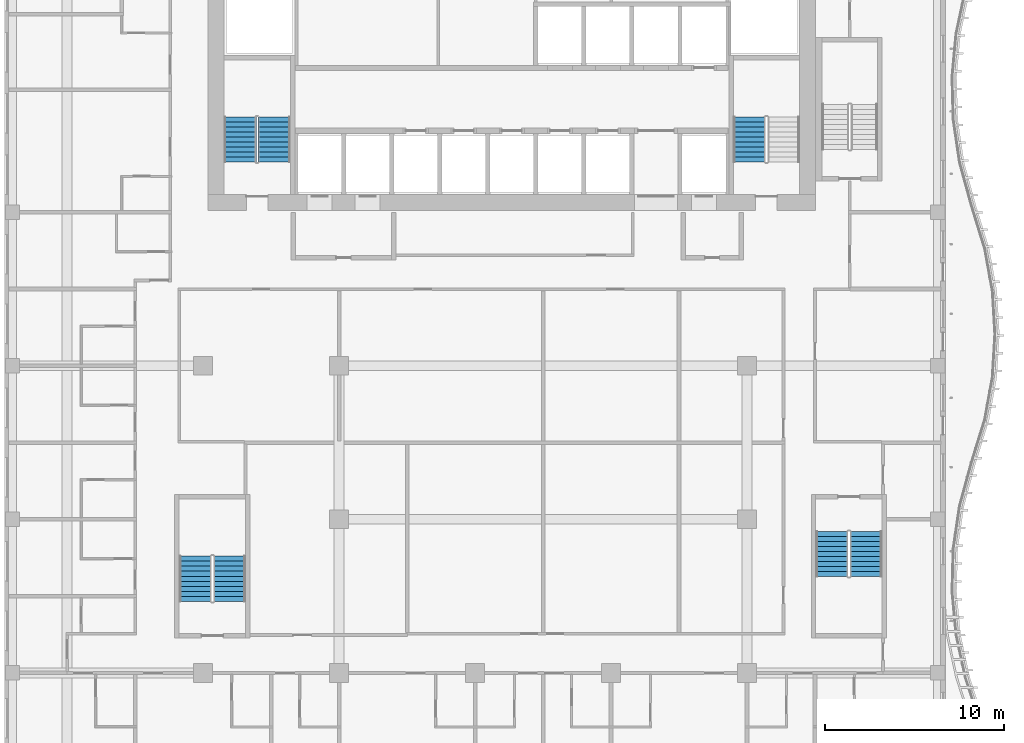
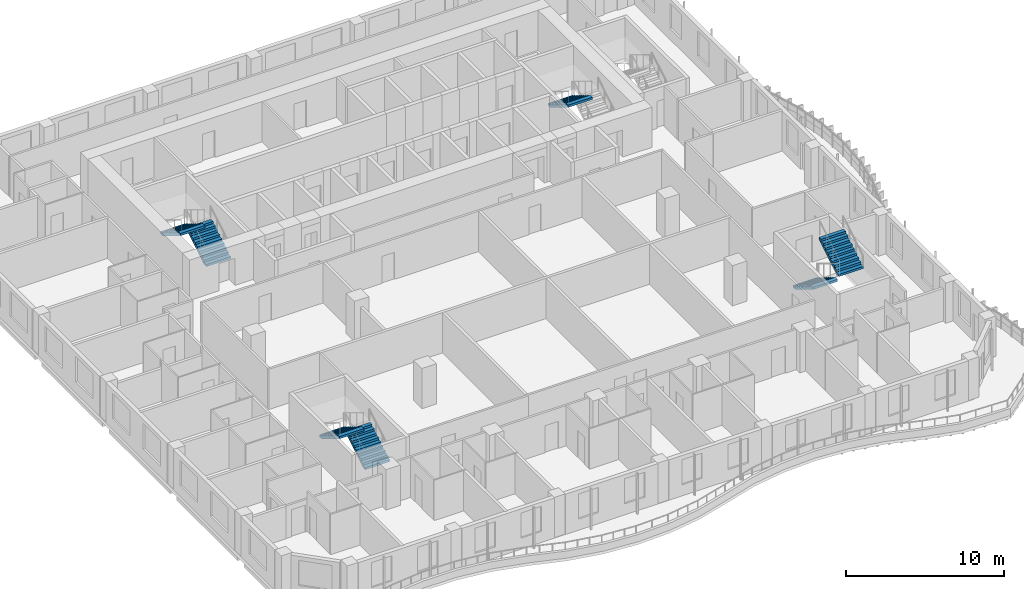
# One storey, part 12 of 23: 7 stair flights, 4 elements without a shape of their own.
"""IFC4 building model written with IfcOpenShell, lengths in metres."""

from ifc_helpers import new_model, si_unit, direction, frame, origin, place, context, subcontext, project, spatial, triangles, source, transform, mapped, material, type_object, element, aggregate, save


model = new_model("IFC4")

# Units and contexts
model_context = context("Model", 3, precision=1e-05, world=origin(), true_north=direction((0.0, 1.0)))
body_context = subcontext(model_context, "Body", "Model", "MODEL_VIEW")
ifc_project = project(units=[si_unit("LENGTHUNIT", "METRE"), si_unit("AREAUNIT", "SQUARE_METRE"), si_unit("VOLUMEUNIT", "CUBIC_METRE"), si_unit("PLANEANGLEUNIT", "RADIAN"), si_unit("MASSUNIT", "GRAM", prefix="KILO")], contexts=[model_context])

# Site, building, storey
site_placement = place(None, origin())
site = spatial("IfcSite", under=ifc_project, at=site_placement, CompositionType="ELEMENT")
building_placement = place(site_placement, origin())
building = spatial("IfcBuilding", under=site, at=building_placement, Name="Kilnfold Tower and Market Hall", CompositionType="ELEMENT")
storey_placement = place(building_placement, frame((0.0, 0.0, 178.699951171875)))
storey = spatial("IfcBuildingStorey", under=building, at=storey_placement, Name="L42", CompositionType="ELEMENT", Elevation=178.699951171875)

# Stair, stair flights
ifc_material_1 = material(Name="Concrete C40/50", Category="concrete")
stair_type = type_object("IfcStairType", Name="CORE STAIR 1800", PredefinedType="HALF_TURN_STAIR", material=ifc_material_1)
stair_1_placement = place(storey_placement, origin())
stair_1 = element("IfcStair", 1, at=stair_1_placement, inside=storey, type_object=stair_type, Name="L42 ST1", PredefinedType="HALF_TURN_STAIR")
ifc_material_2 = material(Name="Concrete C40/50", Category="concrete")
stair_flight_type = type_object("IfcStairFlightType", Name="CORE STAIR FLIGHT 1800", PredefinedType="STRAIGHT", material=ifc_material_2)
shared_shape = source(origin(), body_context, "Body", "Tessellation", [
    triangles([(0.0, 0.89990234375, 0.0), (0.0, 0.78759765625, 0.0), (0.0, 0.675048828125, 0.0), (0.0, 0.5625, 0.0), (0.0, 0.449951171875, 0.0), (0.0, 0.33740234375, 0.0), (0.0, 0.22509765625, 0.0), (0.0, 0.112548828125, 0.0), (0.0, 0.0, 0.0), (0.0, -0.112548828125, 0.0), (0.0, -0.22509765625, 0.0), (0.0, -0.33740234375, 0.0), (0.0, -0.449951171875, 0.0), (0.0, -0.5625, 0.0), (0.0, -0.675048828125, 0.0), (0.0, -0.78759765625, 0.0), (0.0, -0.89990234375, 0.0), (0.0, 0.89990234375, 0.169921875), (0.0, 0.78759765625, 0.169921875), (0.0, 0.675048828125, 0.169921875), (0.0, 0.5625, 0.169921875), (0.0, 0.449951171875, 0.169921875), (0.0, 0.33740234375, 0.169921875), (0.0, 0.22509765625, 0.169921875), (0.0, 0.112548828125, 0.169921875), (0.0, 0.0, 0.169921875), (0.0, -0.112548828125, 0.169921875), (0.0, -0.22509765625, 0.169921875), (0.0, -0.33740234375, 0.169921875), (0.0, -0.449951171875, 0.169921875), (0.0, -0.5625, 0.169921875), (0.0, -0.675048828125, 0.169921875), (0.0, -0.78759765625, 0.169921875), (0.0, -0.89990234375, 0.169921875), (0.280029296875, 0.89990234375, 0.169921875), (0.280029296875, 0.78759765625, 0.169921875), (0.280029296875, 0.675048828125, 0.169921875), (0.280029296875, 0.5625, 0.169921875), (0.280029296875, 0.449951171875, 0.169921875), (0.280029296875, 0.33740234375, 0.169921875), (0.280029296875, 0.22509765625, 0.169921875), (0.280029296875, 0.112548828125, 0.169921875), (0.280029296875, 0.0, 0.169921875), (0.280029296875, -0.112548828125, 0.169921875), (0.280029296875, -0.22509765625, 0.169921875), (0.280029296875, -0.33740234375, 0.169921875), (0.280029296875, -0.449951171875, 0.169921875), (0.280029296875, -0.5625, 0.169921875), (0.280029296875, -0.675048828125, 0.169921875), (0.280029296875, -0.78759765625, 0.169921875), (0.280029296875, -0.89990234375, 0.169921875), (0.280029296875, 0.89990234375, 0.340087890625), (0.280029296875, 0.78759765625, 0.340087890625), (0.280029296875, 0.675048828125, 0.340087890625), (0.280029296875, 0.5625, 0.340087890625), (0.280029296875, 0.449951171875, 0.340087890625), (0.280029296875, 0.33740234375, 0.340087890625), (0.280029296875, 0.22509765625, 0.340087890625), (0.280029296875, 0.112548828125, 0.340087890625), (0.280029296875, 0.0, 0.340087890625), (0.280029296875, -0.112548828125, 0.340087890625), (0.280029296875, -0.22509765625, 0.340087890625), (0.280029296875, -0.33740234375, 0.340087890625), (0.280029296875, -0.449951171875, 0.340087890625), (0.280029296875, -0.5625, 0.340087890625), (0.280029296875, -0.675048828125, 0.340087890625), (0.280029296875, -0.78759765625, 0.340087890625), (0.280029296875, -0.89990234375, 0.340087890625), (0.56005859375, 0.89990234375, 0.340087890625), (0.56005859375, 0.78759765625, 0.340087890625), (0.56005859375, 0.675048828125, 0.340087890625), (0.56005859375, 0.5625, 0.340087890625), (0.56005859375, 0.449951171875, 0.340087890625), (0.56005859375, 0.33740234375, 0.340087890625), (0.56005859375, 0.22509765625, 0.340087890625), (0.56005859375, 0.112548828125, 0.340087890625), (0.56005859375, 0.0, 0.340087890625), (0.56005859375, -0.112548828125, 0.340087890625), (0.56005859375, -0.22509765625, 0.340087890625), (0.56005859375, -0.33740234375, 0.340087890625), (0.56005859375, -0.449951171875, 0.340087890625), (0.56005859375, -0.5625, 0.340087890625), (0.56005859375, -0.675048828125, 0.340087890625), (0.56005859375, -0.78759765625, 0.340087890625), (0.56005859375, -0.89990234375, 0.340087890625), (0.56005859375, 0.89990234375, 0.510009765625), (0.56005859375, 0.78759765625, 0.510009765625), (0.56005859375, 0.675048828125, 0.510009765625), (0.56005859375, 0.5625, 0.510009765625), (0.56005859375, 0.449951171875, 0.510009765625), (0.56005859375, 0.33740234375, 0.510009765625), (0.56005859375, 0.22509765625, 0.510009765625), (0.56005859375, 0.112548828125, 0.510009765625), (0.56005859375, 0.0, 0.510009765625), (0.56005859375, -0.112548828125, 0.510009765625), (0.56005859375, -0.22509765625, 0.510009765625), (0.56005859375, -0.33740234375, 0.510009765625), (0.56005859375, -0.449951171875, 0.510009765625), (0.56005859375, -0.5625, 0.510009765625), (0.56005859375, -0.675048828125, 0.510009765625), (0.56005859375, -0.78759765625, 0.510009765625), (0.56005859375, -0.89990234375, 0.510009765625), (0.840087890625, 0.89990234375, 0.510009765625), (0.840087890625, 0.78759765625, 0.510009765625), (0.840087890625, 0.675048828125, 0.510009765625), (0.840087890625, 0.5625, 0.510009765625), (0.840087890625, 0.449951171875, 0.510009765625), (0.840087890625, 0.33740234375, 0.510009765625), (0.840087890625, 0.22509765625, 0.510009765625), (0.840087890625, 0.112548828125, 0.510009765625), (0.840087890625, 0.0, 0.510009765625), (0.840087890625, -0.112548828125, 0.510009765625), (0.840087890625, -0.22509765625, 0.510009765625), (0.840087890625, -0.33740234375, 0.510009765625), (0.840087890625, -0.449951171875, 0.510009765625), (0.840087890625, -0.5625, 0.510009765625), (0.840087890625, -0.675048828125, 0.510009765625), (0.840087890625, -0.78759765625, 0.510009765625), (0.840087890625, -0.89990234375, 0.510009765625), (0.840087890625, 0.89990234375, 0.679931640625), (0.840087890625, 0.78759765625, 0.679931640625), (0.840087890625, 0.675048828125, 0.679931640625), (0.840087890625, 0.5625, 0.679931640625), (0.840087890625, 0.449951171875, 0.679931640625), (0.840087890625, 0.33740234375, 0.679931640625), (0.840087890625, 0.22509765625, 0.679931640625), (0.840087890625, 0.112548828125, 0.679931640625), (0.840087890625, 0.0, 0.679931640625), (0.840087890625, -0.112548828125, 0.679931640625), (0.840087890625, -0.22509765625, 0.679931640625), (0.840087890625, -0.33740234375, 0.679931640625), (0.840087890625, -0.449951171875, 0.679931640625), (0.840087890625, -0.5625, 0.679931640625), (0.840087890625, -0.675048828125, 0.679931640625), (0.840087890625, -0.78759765625, 0.679931640625), (0.840087890625, -0.89990234375, 0.679931640625), (1.1201171875, 0.89990234375, 0.679931640625), (1.1201171875, 0.78759765625, 0.679931640625), (1.1201171875, 0.675048828125, 0.679931640625), (1.1201171875, 0.5625, 0.679931640625), (1.1201171875, 0.449951171875, 0.679931640625), (1.1201171875, 0.33740234375, 0.679931640625), (1.1201171875, 0.22509765625, 0.679931640625), (1.1201171875, 0.112548828125, 0.679931640625), (1.1201171875, 0.0, 0.679931640625), (1.1201171875, -0.112548828125, 0.679931640625), (1.1201171875, -0.22509765625, 0.679931640625), (1.1201171875, -0.33740234375, 0.679931640625), (1.1201171875, -0.449951171875, 0.679931640625), (1.1201171875, -0.5625, 0.679931640625), (1.1201171875, -0.675048828125, 0.679931640625), (1.1201171875, -0.78759765625, 0.679931640625), (1.1201171875, -0.89990234375, 0.679931640625), (1.1201171875, 0.89990234375, 0.85009765625), (1.1201171875, 0.78759765625, 0.85009765625), (1.1201171875, 0.675048828125, 0.85009765625), (1.1201171875, 0.5625, 0.85009765625), (1.1201171875, 0.449951171875, 0.85009765625), (1.1201171875, 0.33740234375, 0.85009765625), (1.1201171875, 0.22509765625, 0.85009765625), (1.1201171875, 0.112548828125, 0.85009765625), (1.1201171875, 0.0, 0.85009765625), (1.1201171875, -0.112548828125, 0.85009765625), (1.1201171875, -0.22509765625, 0.85009765625), (1.1201171875, -0.33740234375, 0.85009765625), (1.1201171875, -0.449951171875, 0.85009765625), (1.1201171875, -0.5625, 0.85009765625), (1.1201171875, -0.675048828125, 0.85009765625), (1.1201171875, -0.78759765625, 0.85009765625), (1.1201171875, -0.89990234375, 0.85009765625), (1.39990234375, 0.89990234375, 0.85009765625), (1.39990234375, 0.78759765625, 0.85009765625), (1.39990234375, 0.675048828125, 0.85009765625), (1.39990234375, 0.5625, 0.85009765625), (1.39990234375, 0.449951171875, 0.85009765625), (1.39990234375, 0.33740234375, 0.85009765625), (1.39990234375, 0.22509765625, 0.85009765625), (1.39990234375, 0.112548828125, 0.85009765625), (1.39990234375, 0.0, 0.85009765625), (1.39990234375, -0.112548828125, 0.85009765625), (1.39990234375, -0.22509765625, 0.85009765625), (1.39990234375, -0.33740234375, 0.85009765625), (1.39990234375, -0.449951171875, 0.85009765625), (1.39990234375, -0.5625, 0.85009765625), (1.39990234375, -0.675048828125, 0.85009765625), (1.39990234375, -0.78759765625, 0.85009765625), (1.39990234375, -0.89990234375, 0.85009765625), (1.39990234375, 0.89990234375, 1.02001953125), (1.39990234375, 0.78759765625, 1.02001953125), (1.39990234375, 0.675048828125, 1.02001953125), (1.39990234375, 0.5625, 1.02001953125), (1.39990234375, 0.449951171875, 1.02001953125), (1.39990234375, 0.33740234375, 1.02001953125), (1.39990234375, 0.22509765625, 1.02001953125), (1.39990234375, 0.112548828125, 1.02001953125), (1.39990234375, 0.0, 1.02001953125), (1.39990234375, -0.112548828125, 1.02001953125), (1.39990234375, -0.22509765625, 1.02001953125), (1.39990234375, -0.33740234375, 1.02001953125), (1.39990234375, -0.449951171875, 1.02001953125), (1.39990234375, -0.5625, 1.02001953125), (1.39990234375, -0.675048828125, 1.02001953125), (1.39990234375, -0.78759765625, 1.02001953125), (1.39990234375, -0.89990234375, 1.02001953125), (1.679931640625, 0.89990234375, 1.02001953125), (1.679931640625, 0.78759765625, 1.02001953125), (1.679931640625, 0.675048828125, 1.02001953125), (1.679931640625, 0.5625, 1.02001953125), (1.679931640625, 0.449951171875, 1.02001953125), (1.679931640625, 0.33740234375, 1.02001953125), (1.679931640625, 0.22509765625, 1.02001953125), (1.679931640625, 0.112548828125, 1.02001953125), (1.679931640625, 0.0, 1.02001953125), (1.679931640625, -0.112548828125, 1.02001953125), (1.679931640625, -0.22509765625, 1.02001953125), (1.679931640625, -0.33740234375, 1.02001953125), (1.679931640625, -0.449951171875, 1.02001953125), (1.679931640625, -0.5625, 1.02001953125), (1.679931640625, -0.675048828125, 1.02001953125), (1.679931640625, -0.78759765625, 1.02001953125), (1.679931640625, -0.89990234375, 1.02001953125), (1.679931640625, 0.89990234375, 1.18994140625), (1.679931640625, 0.78759765625, 1.18994140625), (1.679931640625, 0.675048828125, 1.18994140625), (1.679931640625, 0.5625, 1.18994140625), (1.679931640625, 0.449951171875, 1.18994140625), (1.679931640625, 0.33740234375, 1.18994140625), (1.679931640625, 0.22509765625, 1.18994140625), (1.679931640625, 0.112548828125, 1.18994140625), (1.679931640625, 0.0, 1.18994140625), (1.679931640625, -0.112548828125, 1.18994140625), (1.679931640625, -0.22509765625, 1.18994140625), (1.679931640625, -0.33740234375, 1.18994140625), (1.679931640625, -0.449951171875, 1.18994140625), (1.679931640625, -0.5625, 1.18994140625), (1.679931640625, -0.675048828125, 1.18994140625), (1.679931640625, -0.78759765625, 1.18994140625), (1.679931640625, -0.89990234375, 1.18994140625), (1.9599609375, 0.89990234375, 1.18994140625), (1.9599609375, 0.78759765625, 1.18994140625), (1.9599609375, 0.675048828125, 1.18994140625), (1.9599609375, 0.5625, 1.18994140625), (1.9599609375, 0.449951171875, 1.18994140625), (1.9599609375, 0.33740234375, 1.18994140625), (1.9599609375, 0.22509765625, 1.18994140625), (1.9599609375, 0.112548828125, 1.18994140625), (1.9599609375, 0.0, 1.18994140625), (1.9599609375, -0.112548828125, 1.18994140625), (1.9599609375, -0.22509765625, 1.18994140625), (1.9599609375, -0.33740234375, 1.18994140625), (1.9599609375, -0.449951171875, 1.18994140625), (1.9599609375, -0.5625, 1.18994140625), (1.9599609375, -0.675048828125, 1.18994140625), (1.9599609375, -0.78759765625, 1.18994140625), (1.9599609375, -0.89990234375, 1.18994140625), (1.9599609375, 0.89990234375, 1.360107421875), (1.9599609375, 0.78759765625, 1.360107421875), (1.9599609375, 0.675048828125, 1.360107421875), (1.9599609375, 0.5625, 1.360107421875), (1.9599609375, 0.449951171875, 1.360107421875), (1.9599609375, 0.33740234375, 1.360107421875), (1.9599609375, 0.22509765625, 1.360107421875), (1.9599609375, 0.112548828125, 1.360107421875), (1.9599609375, 0.0, 1.360107421875), (1.9599609375, -0.112548828125, 1.360107421875), (1.9599609375, -0.22509765625, 1.360107421875), (1.9599609375, -0.33740234375, 1.360107421875), (1.9599609375, -0.449951171875, 1.360107421875), (1.9599609375, -0.5625, 1.360107421875), (1.9599609375, -0.675048828125, 1.360107421875), (1.9599609375, -0.78759765625, 1.360107421875), (1.9599609375, -0.89990234375, 1.360107421875), (2.239990234375, 0.89990234375, 1.360107421875), (2.239990234375, 0.78759765625, 1.360107421875), (2.239990234375, 0.675048828125, 1.360107421875), (2.239990234375, 0.5625, 1.360107421875), (2.239990234375, 0.449951171875, 1.360107421875), (2.239990234375, 0.33740234375, 1.360107421875), (2.239990234375, 0.22509765625, 1.360107421875), (2.239990234375, 0.112548828125, 1.360107421875), (2.239990234375, 0.0, 1.360107421875), (2.239990234375, -0.112548828125, 1.360107421875), (2.239990234375, -0.22509765625, 1.360107421875), (2.239990234375, -0.33740234375, 1.360107421875), (2.239990234375, -0.449951171875, 1.360107421875), (2.239990234375, -0.5625, 1.360107421875), (2.239990234375, -0.675048828125, 1.360107421875), (2.239990234375, -0.78759765625, 1.360107421875), (2.239990234375, -0.89990234375, 1.360107421875), (2.239990234375, 0.89990234375, 1.530029296875), (2.239990234375, 0.78759765625, 1.530029296875), (2.239990234375, 0.675048828125, 1.530029296875), (2.239990234375, 0.5625, 1.530029296875), (2.239990234375, 0.449951171875, 1.530029296875), (2.239990234375, 0.33740234375, 1.530029296875), (2.239990234375, 0.22509765625, 1.530029296875), (2.239990234375, 0.112548828125, 1.530029296875), (2.239990234375, 0.0, 1.530029296875), (2.239990234375, -0.112548828125, 1.530029296875), (2.239990234375, -0.22509765625, 1.530029296875), (2.239990234375, -0.33740234375, 1.530029296875), (2.239990234375, -0.449951171875, 1.530029296875), (2.239990234375, -0.5625, 1.530029296875), (2.239990234375, -0.675048828125, 1.530029296875), (2.239990234375, -0.78759765625, 1.530029296875), (2.239990234375, -0.89990234375, 1.530029296875), (2.52001953125, 0.89990234375, 1.530029296875), (2.52001953125, 0.78759765625, 1.530029296875), (2.52001953125, 0.675048828125, 1.530029296875), (2.52001953125, 0.5625, 1.530029296875), (2.52001953125, 0.449951171875, 1.530029296875), (2.52001953125, 0.33740234375, 1.530029296875), (2.52001953125, 0.22509765625, 1.530029296875), (2.52001953125, 0.112548828125, 1.530029296875), (2.52001953125, 0.0, 1.530029296875), (2.52001953125, -0.112548828125, 1.530029296875), (2.52001953125, -0.22509765625, 1.530029296875), (2.52001953125, -0.33740234375, 1.530029296875), (2.52001953125, -0.449951171875, 1.530029296875), (2.52001953125, -0.5625, 1.530029296875), (2.52001953125, -0.675048828125, 1.530029296875), (2.52001953125, -0.78759765625, 1.530029296875), (2.52001953125, -0.89990234375, 1.530029296875), (2.52001953125, 0.89990234375, 1.354736328125), (2.52001953125, 0.78759765625, 1.354736328125), (2.52001953125, 0.675048828125, 1.354736328125), (2.52001953125, 0.5625, 1.354736328125), (2.52001953125, 0.449951171875, 1.354736328125), (2.52001953125, 0.33740234375, 1.354736328125), (2.52001953125, 0.22509765625, 1.354736328125), (2.52001953125, 0.112548828125, 1.354736328125), (2.52001953125, 0.0, 1.354736328125), (2.52001953125, -0.112548828125, 1.354736328125), (2.52001953125, -0.22509765625, 1.354736328125), (2.52001953125, -0.33740234375, 1.354736328125), (2.52001953125, -0.449951171875, 1.354736328125), (2.52001953125, -0.5625, 1.354736328125), (2.52001953125, -0.675048828125, 1.354736328125), (2.52001953125, -0.78759765625, 1.354736328125), (2.52001953125, -0.89990234375, 1.354736328125), (0.288818359375, 0.89990234375, 0.0), (0.288818359375, 0.78759765625, 0.0), (0.288818359375, 0.675048828125, 0.0), (0.288818359375, 0.5625, 0.0), (0.288818359375, 0.449951171875, 0.0), (0.288818359375, 0.33740234375, 0.0), (0.288818359375, 0.22509765625, 0.0), (0.288818359375, 0.112548828125, 0.0), (0.288818359375, 0.0, 0.0), (0.288818359375, -0.112548828125, 0.0), (0.288818359375, -0.22509765625, 0.0), (0.288818359375, -0.33740234375, 0.0), (0.288818359375, -0.449951171875, 0.0), (0.288818359375, -0.5625, 0.0), (0.288818359375, -0.675048828125, 0.0), (0.288818359375, -0.78759765625, 0.0), (0.288818359375, -0.89990234375, 0.0)], [[1, 324, 341], [17, 357, 340], [324, 290, 307], [340, 323, 306], [324, 273, 290], [340, 306, 289], [324, 256, 273], [340, 289, 272], [324, 239, 256], [340, 272, 255], [239, 205, 222], [255, 238, 221], [324, 205, 239], [340, 255, 221], [205, 171, 188], [221, 204, 187], [324, 171, 205], [340, 221, 187], [171, 137, 154], [187, 170, 153], [324, 137, 171], [340, 187, 153], [137, 103, 120], [153, 136, 119], [324, 103, 137], [340, 153, 119], [103, 69, 86], [119, 102, 85], [324, 69, 103], [340, 119, 85], [69, 35, 52], [85, 68, 51], [324, 35, 69], [340, 85, 51], [1, 35, 324], [17, 340, 51], [35, 1, 18], [51, 34, 17], [1, 19, 18], [1, 2, 19], [2, 20, 19], [2, 3, 20], [3, 21, 20], [3, 4, 21], [4, 22, 21], [4, 5, 22], [5, 23, 22], [5, 6, 23], [6, 24, 23], [6, 7, 24], [7, 25, 24], [7, 8, 25], [8, 26, 25], [8, 9, 26], [9, 27, 26], [9, 10, 27], [10, 28, 27], [10, 11, 28], [11, 29, 28], [11, 12, 29], [12, 30, 29], [12, 13, 30], [13, 31, 30], [13, 14, 31], [14, 32, 31], [14, 15, 32], [15, 33, 32], [15, 16, 33], [16, 34, 33], [16, 17, 34], [18, 36, 35], [18, 19, 36], [19, 37, 36], [19, 20, 37], [20, 38, 37], [20, 21, 38], [21, 39, 38], [21, 22, 39], [22, 40, 39], [22, 23, 40], [23, 41, 40], [23, 24, 41], [24, 42, 41], [24, 25, 42], [25, 43, 42], [25, 26, 43], [26, 44, 43], [26, 27, 44], [27, 45, 44], [27, 28, 45], [28, 46, 45], [28, 29, 46], [29, 47, 46], [29, 30, 47], [30, 48, 47], [30, 31, 48], [31, 49, 48], [31, 32, 49], [32, 50, 49], [32, 33, 50], [33, 51, 50], [33, 34, 51], [35, 53, 52], [35, 36, 53], [36, 54, 53], [36, 37, 54], [37, 55, 54], [37, 38, 55], [38, 56, 55], [38, 39, 56], [39, 57, 56], [39, 40, 57], [40, 58, 57], [40, 41, 58], [41, 59, 58], [41, 42, 59], [42, 60, 59], [42, 43, 60], [43, 61, 60], [43, 44, 61], [44, 62, 61], [44, 45, 62], [45, 63, 62], [45, 46, 63], [46, 64, 63], [46, 47, 64], [47, 65, 64], [47, 48, 65], [48, 66, 65], [48, 49, 66], [49, 67, 66], [49, 50, 67], [50, 68, 67], [50, 51, 68], [52, 70, 69], [52, 53, 70], [53, 71, 70], [53, 54, 71], [54, 72, 71], [54, 55, 72], [55, 73, 72], [55, 56, 73], [56, 74, 73], [56, 57, 74], [57, 75, 74], [57, 58, 75], [58, 76, 75], [58, 59, 76], [59, 77, 76], [59, 60, 77], [60, 78, 77], [60, 61, 78], [61, 79, 78], [61, 62, 79], [62, 80, 79], [62, 63, 80], [63, 81, 80], [63, 64, 81], [64, 82, 81], [64, 65, 82], [65, 83, 82], [65, 66, 83], [66, 84, 83], [66, 67, 84], [67, 85, 84], [67, 68, 85], [69, 87, 86], [69, 70, 87], [70, 88, 87], [70, 71, 88], [71, 89, 88], [71, 72, 89], [72, 90, 89], [72, 73, 90], [73, 91, 90], [73, 74, 91], [74, 92, 91], [74, 75, 92], [75, 93, 92], [75, 76, 93], [76, 94, 93], [76, 77, 94], [77, 95, 94], [77, 78, 95], [78, 96, 95], [78, 79, 96], [79, 97, 96], [79, 80, 97], [80, 98, 97], [80, 81, 98], [81, 99, 98], [81, 82, 99], [82, 100, 99], [82, 83, 100], [83, 101, 100], [83, 84, 101], [84, 102, 101], [84, 85, 102], [86, 104, 103], [86, 87, 104], [87, 105, 104], [87, 88, 105], [88, 106, 105], [88, 89, 106], [89, 107, 106], [89, 90, 107], [90, 108, 107], [90, 91, 108], [91, 109, 108], [91, 92, 109], [92, 110, 109], [92, 93, 110], [93, 111, 110], [93, 94, 111], [94, 112, 111], [94, 95, 112], [95, 113, 112], [95, 96, 113], [96, 114, 113], [96, 97, 114], [97, 115, 114], [97, 98, 115], [98, 116, 115], [98, 99, 116], [99, 117, 116], [99, 100, 117], [100, 118, 117], [100, 101, 118], [101, 119, 118], [101, 102, 119], [103, 121, 120], [103, 104, 121], [104, 122, 121], [104, 105, 122], [105, 123, 122], [105, 106, 123], [106, 124, 123], [106, 107, 124], [107, 125, 124], [107, 108, 125], [108, 126, 125], [108, 109, 126], [109, 127, 126], [109, 110, 127], [110, 128, 127], [110, 111, 128], [111, 129, 128], [111, 112, 129], [112, 130, 129], [112, 113, 130], [113, 131, 130], [113, 114, 131], [114, 132, 131], [114, 115, 132], [115, 133, 132], [115, 116, 133], [116, 134, 133], [116, 117, 134], [117, 135, 134], [117, 118, 135], [118, 136, 135], [118, 119, 136], [120, 138, 137], [120, 121, 138], [121, 139, 138], [121, 122, 139], [122, 140, 139], [122, 123, 140], [123, 141, 140], [123, 124, 141], [124, 142, 141], [124, 125, 142], [125, 143, 142], [125, 126, 143], [126, 144, 143], [126, 127, 144], [127, 145, 144], [127, 128, 145], [128, 146, 145], [128, 129, 146], [129, 147, 146], [129, 130, 147], [130, 148, 147], [130, 131, 148], [131, 149, 148], [131, 132, 149], [132, 150, 149], [132, 133, 150], [133, 151, 150], [133, 134, 151], [134, 152, 151], [134, 135, 152], [135, 153, 152], [135, 136, 153], [137, 155, 154], [137, 138, 155], [138, 156, 155], [138, 139, 156], [139, 157, 156], [139, 140, 157], [140, 158, 157], [140, 141, 158], [141, 159, 158], [141, 142, 159], [142, 160, 159], [142, 143, 160], [143, 161, 160], [143, 144, 161], [144, 162, 161], [144, 145, 162], [145, 163, 162], [145, 146, 163], [146, 164, 163], [146, 147, 164], [147, 165, 164], [147, 148, 165], [148, 166, 165], [148, 149, 166], [149, 167, 166], [149, 150, 167], [150, 168, 167], [150, 151, 168], [151, 169, 168], [151, 152, 169], [152, 170, 169], [152, 153, 170], [154, 172, 171], [154, 155, 172], [155, 173, 172], [155, 156, 173], [156, 174, 173], [156, 157, 174], [157, 175, 174], [157, 158, 175], [158, 176, 175], [158, 159, 176], [159, 177, 176], [159, 160, 177], [160, 178, 177], [160, 161, 178], [161, 179, 178], [161, 162, 179], [162, 180, 179], [162, 163, 180], [163, 181, 180], [163, 164, 181], [164, 182, 181], [164, 165, 182], [165, 183, 182], [165, 166, 183], [166, 184, 183], [166, 167, 184], [167, 185, 184], [167, 168, 185], [168, 186, 185], [168, 169, 186], [169, 187, 186], [169, 170, 187], [171, 189, 188], [171, 172, 189], [172, 190, 189], [172, 173, 190], [173, 191, 190], [173, 174, 191], [174, 192, 191], [174, 175, 192], [175, 193, 192], [175, 176, 193], [176, 194, 193], [176, 177, 194], [177, 195, 194], [177, 178, 195], [178, 196, 195], [178, 179, 196], [179, 197, 196], [179, 180, 197], [180, 198, 197], [180, 181, 198], [181, 199, 198], [181, 182, 199], [182, 200, 199], [182, 183, 200], [183, 201, 200], [183, 184, 201], [184, 202, 201], [184, 185, 202], [185, 203, 202], [185, 186, 203], [186, 204, 203], [186, 187, 204], [188, 206, 205], [188, 189, 206], [189, 207, 206], [189, 190, 207], [190, 208, 207], [190, 191, 208], [191, 209, 208], [191, 192, 209], [192, 210, 209], [192, 193, 210], [193, 211, 210], [193, 194, 211], [194, 212, 211], [194, 195, 212], [195, 213, 212], [195, 196, 213], [196, 214, 213], [196, 197, 214], [197, 215, 214], [197, 198, 215], [198, 216, 215], [198, 199, 216], [199, 217, 216], [199, 200, 217], [200, 218, 217], [200, 201, 218], [201, 219, 218], [201, 202, 219], [202, 220, 219], [202, 203, 220], [203, 221, 220], [203, 204, 221], [205, 223, 222], [205, 206, 223], [206, 224, 223], [206, 207, 224], [207, 225, 224], [207, 208, 225], [208, 226, 225], [208, 209, 226], [209, 227, 226], [209, 210, 227], [210, 228, 227], [210, 211, 228], [211, 229, 228], [211, 212, 229], [212, 230, 229], [212, 213, 230], [213, 231, 230], [213, 214, 231], [214, 232, 231], [214, 215, 232], [215, 233, 232], [215, 216, 233], [216, 234, 233], [216, 217, 234], [217, 235, 234], [217, 218, 235], [218, 236, 235], [218, 219, 236], [219, 237, 236], [219, 220, 237], [220, 238, 237], [220, 221, 238], [222, 240, 239], [222, 223, 240], [223, 241, 240], [223, 224, 241], [224, 242, 241], [224, 225, 242], [225, 243, 242], [225, 226, 243], [226, 244, 243], [226, 227, 244], [227, 245, 244], [227, 228, 245], [228, 246, 245], [228, 229, 246], [229, 247, 246], [229, 230, 247], [230, 248, 247], [230, 231, 248], [231, 249, 248], [231, 232, 249], [232, 250, 249], [232, 233, 250], [233, 251, 250], [233, 234, 251], [234, 252, 251], [234, 235, 252], [235, 253, 252], [235, 236, 253], [236, 254, 253], [236, 237, 254], [237, 255, 254], [237, 238, 255], [239, 257, 256], [239, 240, 257], [240, 258, 257], [240, 241, 258], [241, 259, 258], [241, 242, 259], [242, 260, 259], [242, 243, 260], [243, 261, 260], [243, 244, 261], [244, 262, 261], [244, 245, 262], [245, 263, 262], [245, 246, 263], [246, 264, 263], [246, 247, 264], [247, 265, 264], [247, 248, 265], [248, 266, 265], [248, 249, 266], [249, 267, 266], [249, 250, 267], [250, 268, 267], [250, 251, 268], [251, 269, 268], [251, 252, 269], [252, 270, 269], [252, 253, 270], [253, 271, 270], [253, 254, 271], [254, 272, 271], [254, 255, 272], [256, 274, 273], [256, 257, 274], [257, 275, 274], [257, 258, 275], [258, 276, 275], [258, 259, 276], [259, 277, 276], [259, 260, 277], [260, 278, 277], [260, 261, 278], [261, 279, 278], [261, 262, 279], [262, 280, 279], [262, 263, 280], [263, 281, 280], [263, 264, 281], [264, 282, 281], [264, 265, 282], [265, 283, 282], [265, 266, 283], [266, 284, 283], [266, 267, 284], [267, 285, 284], [267, 268, 285], [268, 286, 285], [268, 269, 286], [269, 287, 286], [269, 270, 287], [270, 288, 287], [270, 271, 288], [271, 289, 288], [271, 272, 289], [273, 291, 290], [273, 274, 291], [274, 292, 291], [274, 275, 292], [275, 293, 292], [275, 276, 293], [276, 294, 293], [276, 277, 294], [277, 295, 294], [277, 278, 295], [278, 296, 295], [278, 279, 296], [279, 297, 296], [279, 280, 297], [280, 298, 297], [280, 281, 298], [281, 299, 298], [281, 282, 299], [282, 300, 299], [282, 283, 300], [283, 301, 300], [283, 284, 301], [284, 302, 301], [284, 285, 302], [285, 303, 302], [285, 286, 303], [286, 304, 303], [286, 287, 304], [287, 305, 304], [287, 288, 305], [288, 306, 305], [288, 289, 306], [290, 308, 307], [290, 291, 308], [291, 309, 308], [291, 292, 309], [292, 310, 309], [292, 293, 310], [293, 311, 310], [293, 294, 311], [294, 312, 311], [294, 295, 312], [295, 313, 312], [295, 296, 313], [296, 314, 313], [296, 297, 314], [297, 315, 314], [297, 298, 315], [298, 316, 315], [298, 299, 316], [299, 317, 316], [299, 300, 317], [300, 318, 317], [300, 301, 318], [301, 319, 318], [301, 302, 319], [302, 320, 319], [302, 303, 320], [303, 321, 320], [303, 304, 321], [304, 322, 321], [304, 305, 322], [305, 323, 322], [305, 306, 323], [307, 325, 324], [307, 308, 325], [308, 326, 325], [308, 309, 326], [309, 327, 326], [309, 310, 327], [310, 328, 327], [310, 311, 328], [311, 329, 328], [311, 312, 329], [312, 330, 329], [312, 313, 330], [313, 331, 330], [313, 314, 331], [314, 332, 331], [314, 315, 332], [315, 333, 332], [315, 316, 333], [316, 334, 333], [316, 317, 334], [317, 335, 334], [317, 318, 335], [318, 336, 335], [318, 319, 336], [319, 337, 336], [319, 320, 337], [320, 338, 337], [320, 321, 338], [321, 339, 338], [321, 322, 339], [322, 340, 339], [322, 323, 340], [324, 342, 341], [324, 325, 342], [325, 343, 342], [325, 326, 343], [326, 344, 343], [326, 327, 344], [327, 345, 344], [327, 328, 345], [328, 346, 345], [328, 329, 346], [329, 347, 346], [329, 330, 347], [330, 348, 347], [330, 331, 348], [331, 349, 348], [331, 332, 349], [332, 350, 349], [332, 333, 350], [333, 351, 350], [333, 334, 351], [334, 352, 351], [334, 335, 352], [335, 353, 352], [335, 336, 353], [336, 354, 353], [336, 337, 354], [337, 355, 354], [337, 338, 355], [338, 356, 355], [338, 339, 356], [339, 357, 356], [339, 340, 357], [341, 2, 1], [341, 342, 2], [342, 3, 2], [342, 343, 3], [343, 4, 3], [343, 344, 4], [344, 5, 4], [344, 345, 5], [345, 6, 5], [345, 346, 6], [346, 7, 6], [346, 347, 7], [347, 8, 7], [347, 348, 8], [348, 9, 8], [348, 349, 9], [349, 10, 9], [349, 350, 10], [350, 11, 10], [350, 351, 11], [351, 12, 11], [351, 352, 12], [352, 13, 12], [352, 353, 13], [353, 14, 13], [353, 354, 14], [354, 15, 14], [354, 355, 15], [355, 16, 15], [355, 356, 16], [356, 17, 16], [356, 357, 17]], closed=True),
])
stair_flight_1_placement = place(storey_placement, frame((-12.199951171875, 10.800048828125, 0.0), z_axis=(0.0, 0.0, 1.0), x_axis=(0.0, 1.0, 0.0)))
stair_flight_1 = element("IfcStairFlight", 2, at=stair_flight_1_placement, type_object=stair_flight_type, Name="ST1 flight 1", NumberOfRisers=10, NumberOfTreads=9, PredefinedType="STRAIGHT", RiserHeight=0.17, TreadLength=0.28, context=body_context, shape_type="MappedRepresentation", body=[
    mapped(shared_shape, transform((0.0, 0.0, 0.0))),
])
stair_flight_2_placement = place(storey_placement, frame((-14.10009765625, 13.320068359375, 1.699951171875), z_axis=(0.0, 0.0, 1.0), x_axis=(0.0, -1.0, 0.0)))
stair_flight_2 = element("IfcStairFlight", 3, at=stair_flight_2_placement, type_object=stair_flight_type, Name="ST1 flight 2", NumberOfRisers=10, NumberOfTreads=9, PredefinedType="STRAIGHT", RiserHeight=0.17, TreadLength=0.28, context=body_context, shape_type="MappedRepresentation", body=[
    mapped(shared_shape, transform((0.0, 0.0, 0.0))),
])
aggregate(stair_1, [stair_flight_1, stair_flight_2])

# Stair, stair flight
stair_2_placement = place(storey_placement, origin())
stair_2 = element("IfcStair", 4, at=stair_2_placement, inside=storey, type_object=stair_type, Name="L42 ST2", PredefinedType="HALF_TURN_STAIR")
stair_flight_3_placement = place(storey_placement, frame((14.300048828125, 13.320068359375, 1.699951171875), z_axis=(0.0, 0.0, 1.0), x_axis=(0.0, -1.0, 0.0)))
stair_flight_3 = element("IfcStairFlight", 5, at=stair_flight_3_placement, type_object=stair_flight_type, Name="ST2 flight 2", NumberOfRisers=10, NumberOfTreads=9, PredefinedType="STRAIGHT", RiserHeight=0.17, TreadLength=0.28, context=body_context, shape_type="MappedRepresentation", body=[
    mapped(shared_shape, transform((0.0, 0.0, 0.0))),
])
aggregate(stair_2, [stair_flight_3])

# Stair, stair flights
stair_3_placement = place(storey_placement, origin())
stair_3 = element("IfcStair", 6, at=stair_3_placement, inside=storey, type_object=stair_type, Name="L42 ST3", PredefinedType="HALF_TURN_STAIR")
stair_flight_4_placement = place(storey_placement, frame((-14.699951171875, -13.699951171875, 0.0), z_axis=(0.0, 0.0, 1.0), x_axis=(0.0, 1.0, 0.0)))
stair_flight_4 = element("IfcStairFlight", 7, at=stair_flight_4_placement, type_object=stair_flight_type, Name="ST3 flight 1", NumberOfRisers=10, NumberOfTreads=9, PredefinedType="STRAIGHT", RiserHeight=0.17, TreadLength=0.28, context=body_context, shape_type="MappedRepresentation", body=[
    mapped(shared_shape, transform((0.0, 0.0, 0.0))),
])
stair_flight_5_placement = place(storey_placement, frame((-16.60009765625, -11.179931640625, 1.699951171875), z_axis=(0.0, 0.0, 1.0), x_axis=(0.0, -1.0, 0.0)))
stair_flight_5 = element("IfcStairFlight", 8, at=stair_flight_5_placement, type_object=stair_flight_type, Name="ST3 flight 2", NumberOfRisers=10, NumberOfTreads=9, PredefinedType="STRAIGHT", RiserHeight=0.17, TreadLength=0.28, context=body_context, shape_type="MappedRepresentation", body=[
    mapped(shared_shape, transform((0.0, 0.0, 0.0))),
])
aggregate(stair_3, [stair_flight_4, stair_flight_5])

stair_4_placement = place(storey_placement, origin())
stair_4 = element("IfcStair", 9, at=stair_4_placement, inside=storey, type_object=stair_type, Name="L42 ST4", PredefinedType="HALF_TURN_STAIR")
stair_flight_6_placement = place(storey_placement, frame((18.89990234375, -9.800048828125, 0.0), z_axis=(0.0, 0.0, 1.0), x_axis=(0.0, -1.0, 0.0)))
stair_flight_6 = element("IfcStairFlight", 10, at=stair_flight_6_placement, type_object=stair_flight_type, Name="ST4 flight 1", NumberOfRisers=10, NumberOfTreads=9, PredefinedType="STRAIGHT", RiserHeight=0.17, TreadLength=0.28, context=body_context, shape_type="MappedRepresentation", body=[
    mapped(shared_shape, transform((0.0, 0.0, 0.0))),
])
stair_flight_7_placement = place(storey_placement, frame((20.800048828125, -12.320068359375, 1.699951171875), z_axis=(0.0, 0.0, 1.0), x_axis=(0.0, 1.0, 0.0)))
stair_flight_7 = element("IfcStairFlight", 11, at=stair_flight_7_placement, type_object=stair_flight_type, Name="ST4 flight 2", NumberOfRisers=10, NumberOfTreads=9, PredefinedType="STRAIGHT", RiserHeight=0.17, TreadLength=0.28, context=body_context, shape_type="MappedRepresentation", body=[
    mapped(shared_shape, transform((0.0, 0.0, 0.0))),
])
aggregate(stair_4, [stair_flight_6, stair_flight_7])

save(model, "model.ifc")
